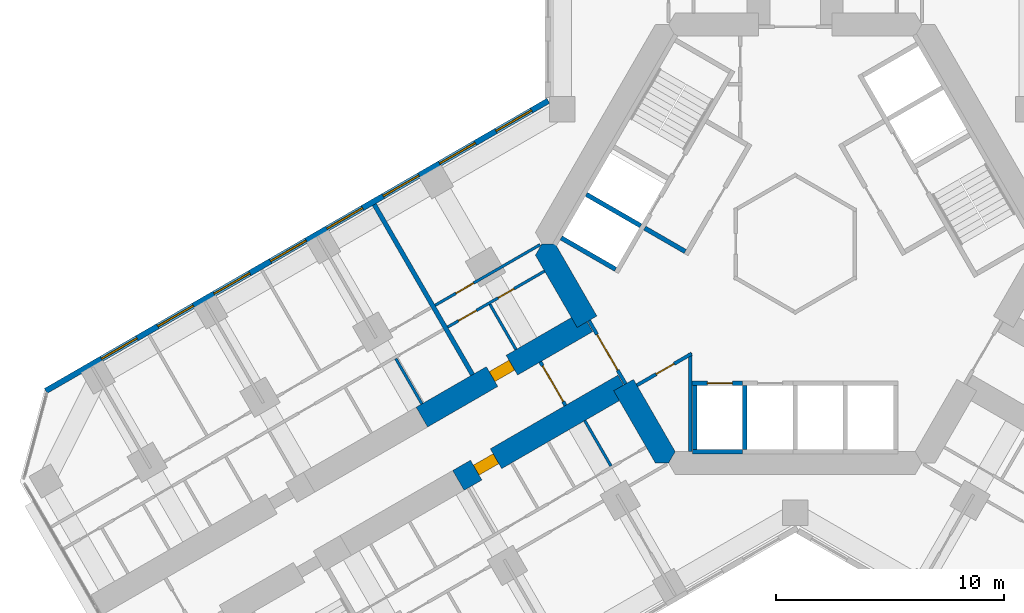
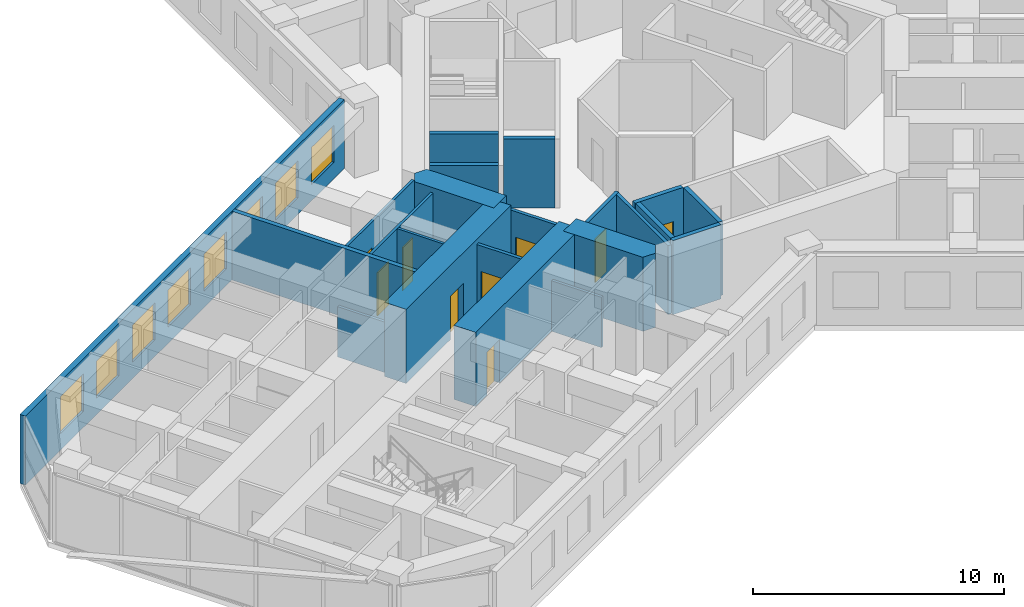
# One storey, part 12 of 21: 22 walls, 9 doors, 8 windows, 17 openings.
"""IFC4 building model written with IfcOpenShell, lengths in metres."""

from ifc_helpers import new_model, si_unit, direction, frame, frame_2d, origin, place, context, subcontext, project, spatial, polyline, rectangle, outline, extrude, material, layer, layer_set, type_object, element, fill, save


model = new_model("IFC4")

# Units and contexts
model_context = context("Model", 3, precision=1e-05, world=origin(), true_north=direction((0.0, 1.0)))
body_context = subcontext(model_context, "Body", "Model", "MODEL_VIEW")
ifc_project = project(units=[si_unit("LENGTHUNIT", "METRE"), si_unit("AREAUNIT", "SQUARE_METRE"), si_unit("VOLUMEUNIT", "CUBIC_METRE"), si_unit("PLANEANGLEUNIT", "RADIAN"), si_unit("MASSUNIT", "GRAM", prefix="KILO")], contexts=[model_context])

# Site, building, storey
site_placement = place(None, origin())
site = spatial("IfcSite", under=ifc_project, at=site_placement, CompositionType="ELEMENT")
building_placement = place(site_placement, origin())
building = spatial("IfcBuilding", under=site, at=building_placement, Name="Kosmar Iwan School Tower", CompositionType="ELEMENT")
storey_placement = place(building_placement, frame((0.0, 0.0, 39.39990234375)))
storey = spatial("IfcBuildingStorey", under=building, at=storey_placement, Name="L08", CompositionType="ELEMENT", Elevation=39.39990234375)

# Wall, opening, door
ifc_material_1 = material(Name="Gypsum board on steel studs, fire-rated", Category="steel")
ifc_layer_1 = layer(ifc_material_1, 0.14990234375)
ifc_layer_set_1 = layer_set([ifc_layer_1], Name="Core room partition 150")
wall_type_1 = type_object("IfcWallType", Name="Core room partition 150", PredefinedType="PARTITIONING", material=ifc_layer_set_1)
wall_1_placement = place(storey_placement, frame((-6.930908203125, -6.195556640625, 0.0), z_axis=(0.0, 0.0, 1.0), x_axis=(0.866007755774, 0.500030566006, 0.0)))
wall_1 = element("IfcWall", 1, at=wall_1_placement, inside=storey, type_object=wall_type_1, Name="Core room partition L08-CW10", PredefinedType="PARTITIONING", context=body_context, shape_type="SweptSolid", body=[
    extrude(rectangle(XDim=2.766357421875, YDim=0.14990234375, at=frame_2d((1.38330078125, 0.0))), origin(), (0.0, 0.0, 1.0), 3.35009765625),
])
opening_1_placement = place(wall_1_placement, frame((0.97607421875, 0.0, 0.0)))
opening_1 = element("IfcOpeningElement", 2, at=opening_1_placement, cuts=wall_1, Name="Opening D14", PredefinedType="OPENING", context=body_context, shape_type="SweptSolid", body=[
    extrude(rectangle(XDim=0.89990234375, YDim=2.10009765625, at=frame_2d((0.449951171875, 1.050048828125))), frame((0.0, 0.0869140625, 0.0), z_axis=(0.0, -1.0, 0.0), x_axis=(1.0, 0.0, 0.0)), (0.0, 0.0, 1.0), 0.173828125),
])
ifc_material_2 = material(Name="Timber fire door in steel frame", Category="steel")
door_type_1 = type_object("IfcDoorType", Name="Core room door 900x2100", OperationType="SINGLE_SWING_LEFT", PredefinedType="DOOR", material=ifc_material_2)
door_1_placement = place(opening_1_placement, origin())
door_1 = element("IfcDoor", 3, at=door_1_placement, inside=storey, type_object=door_type_1, Name="Water meter room door L08 4", OperationType="SINGLE_SWING_RIGHT", OverallHeight=2.10009765625, OverallWidth=0.89990234375, PredefinedType="DOOR", context=body_context, shape_type="SweptSolid", body=[
    extrude(rectangle(XDim=0.89990234375, YDim=2.10009765625, at=frame_2d((0.449951171875, 1.050048828125))), frame((0.0, 0.02490234375, 0.0), z_axis=(0.0, -1.0, 0.0), x_axis=(1.0, 0.0, 0.0)), (0.0, 0.0, 1.0), 0.050048828125),
])
fill(opening_1, door_1)

# Walls
wall_2_placement = place(storey_placement, frame((-4.60009765625, -4.774658203125, 0.0), z_axis=(0.0, 0.0, 1.0), x_axis=(0.0, -1.0, 0.0)))
element("IfcWall", 4, at=wall_2_placement, inside=storey, type_object=wall_type_1, Name="Core room partition L08-CW11", PredefinedType="PARTITIONING", context=body_context, shape_type="SweptSolid", body=[
    extrude(rectangle(XDim=4.3203125, YDim=0.14990234375, at=frame_2d((2.16015625, 0.0))), origin(), (0.0, 0.0, 1.0), 3.35009765625),
])
ifc_material_3 = material(Name="Concrete C50/60", Category="concrete")
ifc_layer_2 = layer(ifc_material_3, 1.0)
ifc_layer_set_2 = layer_set([ifc_layer_2], Name="Core wall 1000")
wall_type_2 = type_object("IfcWallType", Name="Core wall 1000", PredefinedType="SHEAR", material=ifc_layer_set_2)
wall_3_placement = place(storey_placement, origin())
element("IfcWall", 5, at=wall_3_placement, inside=storey, type_object=wall_type_2, Name="Core wall F210a", PredefinedType="SHEAR", context=body_context, shape_type="SweptSolid", body=[
    extrude(outline(polyline([(-9.546875, -3.664306640625), (-8.680908203125, -3.164306640625), (-10.5078125, 0.0), (-11.085205078125, 0.0), (-11.373779296875, -0.5), (-9.546875, -3.664306640625)])), origin(), (0.0, 0.0, 1.0), 3.60009765625),
])
wall_4_placement = place(storey_placement, origin())
element("IfcWall", 6, at=wall_4_placement, inside=storey, type_object=wall_type_2, Name="Core wall F210b", PredefinedType="SHEAR", context=body_context, shape_type="SweptSolid", body=[
    extrude(outline(polyline([(-6.119873046875, -9.60009765625), (-5.54248046875, -9.60009765625), (-5.25390625, -9.10009765625), (-7.080810546875, -5.935546875), (-7.94677734375, -6.435546875), (-6.119873046875, -9.60009765625)])), origin(), (0.0, 0.0, 1.0), 3.60009765625),
])

# Wall, opening, door
ifc_material_4 = material(Name="Concrete C50/60", Category="concrete")
ifc_layer_3 = layer(ifc_material_4, 1.0)
ifc_layer_set_3 = layer_set([ifc_layer_3], Name="Corridor buttress wall 1000")
wall_type_3 = type_object("IfcWallType", Name="Corridor buttress wall 1000", PredefinedType="SHEAR", material=ifc_layer_set_3)
wall_5_placement = place(storey_placement, frame((-7.513916015625, -6.185546875, 0.0), z_axis=(0.0, 0.0, 1.0), x_axis=(-0.866019549707, -0.500010139422, 0.0)))
wall_5 = element("IfcWall", 7, at=wall_5_placement, inside=storey, type_object=wall_type_3, Name="Corridor wall BL", PredefinedType="SHEAR", context=body_context, shape_type="SweptSolid", body=[
    extrude(rectangle(XDim=8.349853515625, YDim=1.0, at=frame_2d((4.1748046875, 0.0))), origin(), (0.0, 0.0, 1.0), 3.60009765625),
])
opening_2_placement = place(wall_5_placement, frame((6.449951171875, 0.0, 0.0)))
opening_2 = element("IfcOpeningElement", 8, at=opening_2_placement, cuts=wall_5, Name="Opening D1", PredefinedType="OPENING", context=body_context, shape_type="SweptSolid", body=[
    extrude(rectangle(XDim=1.0, YDim=2.10009765625, at=frame_2d((0.5, 1.050048828125))), frame((0.0, 0.511962890625, 0.0), z_axis=(0.0, -1.0, 0.0), x_axis=(1.0, 0.0, 0.0)), (0.0, 0.0, 1.0), 1.02392578125),
])
ifc_material_5 = material(Name="Timber fire door in steel frame", Category="steel")
door_type_2 = type_object("IfcDoorType", Name="Flat entrance door 1000x2100", OperationType="SINGLE_SWING_LEFT", PredefinedType="DOOR", material=ifc_material_5)
door_2_placement = place(opening_2_placement, origin())
door_2 = element("IfcDoor", 9, at=door_2_placement, inside=storey, type_object=door_type_2, Name="Flat L08-BL1 entrance door", OperationType="SINGLE_SWING_LEFT", OverallHeight=2.10009765625, OverallWidth=1.0, PredefinedType="DOOR", context=body_context, shape_type="SweptSolid", body=[
    extrude(rectangle(XDim=1.0, YDim=2.10009765625, at=frame_2d((0.5, 1.050048828125))), frame((0.0, 0.25, 0.0), z_axis=(0.0, -1.0, 0.0), x_axis=(1.0, 0.0, 0.0)), (0.0, 0.0, 1.0), 0.5),
])
fill(opening_2, door_2)

wall_6_placement = place(storey_placement, frame((-9.11376953125, -3.414306640625, 0.0), z_axis=(0.0, 0.0, 1.0), x_axis=(-0.866026859388, -0.499997478812, 0.0)))
wall_6 = element("IfcWall", 10, at=wall_6_placement, inside=storey, type_object=wall_type_3, Name="Corridor wall BR", PredefinedType="SHEAR", context=body_context, shape_type="SweptSolid", body=[
    extrude(rectangle(XDim=8.35009765625, YDim=1.0, at=frame_2d((4.175048828125, 0.0))), origin(), (0.0, 0.0, 1.0), 3.60009765625),
])
opening_3_placement = place(wall_6_placement, frame((3.800048828125, 0.0, 0.0)))
opening_3 = element("IfcOpeningElement", 11, at=opening_3_placement, cuts=wall_6, Name="Opening D1", PredefinedType="OPENING", context=body_context, shape_type="SweptSolid", body=[
    extrude(rectangle(XDim=1.0, YDim=2.10009765625, at=frame_2d((0.5, 1.050048828125))), frame((0.0, 0.511962890625, 0.0), z_axis=(0.0, -1.0, 0.0), x_axis=(1.0, 0.0, 0.0)), (0.0, 0.0, 1.0), 1.02392578125),
])
door_3_placement = place(opening_3_placement, origin())
door_3 = element("IfcDoor", 12, at=door_3_placement, inside=storey, type_object=door_type_2, Name="Flat L08-BR1 entrance door", OperationType="SINGLE_SWING_LEFT", OverallHeight=2.10009765625, OverallWidth=1.0, PredefinedType="DOOR", context=body_context, shape_type="SweptSolid", body=[
    extrude(rectangle(XDim=1.0, YDim=2.10009765625, at=frame_2d((0.5, 1.050048828125))), frame((0.0, 0.25, 0.0), z_axis=(0.0, -1.0, 0.0), x_axis=(1.0, 0.0, 0.0)), (0.0, 0.0, 1.0), 0.5),
])
fill(opening_3, door_3)

ifc_material_6 = material(Name="Gypsum board on steel studs, fire-rated", Category="steel")
ifc_layer_4 = layer(ifc_material_6, 0.14990234375)
ifc_layer_set_4 = layer_set([ifc_layer_4], Name="Corridor end wall 150")
wall_type_4 = type_object("IfcWallType", Name="Corridor end wall 150", PredefinedType="PARTITIONING", material=ifc_layer_set_4)
wall_7_placement = place(storey_placement, frame((-11.158935546875, -5.17236328125, 0.0), z_axis=(0.0, 0.0, 1.0), x_axis=(0.50002983664, -0.866008176907, 0.0)))
wall_7 = element("IfcWall", 13, at=wall_7_placement, inside=storey, type_object=wall_type_4, Name="Partition L08-B-HW", PredefinedType="PARTITIONING", context=body_context, shape_type="SweptSolid", body=[
    extrude(rectangle(XDim=2.199951171875, YDim=0.14990234375, at=frame_2d((1.10009765625, 0.0))), origin(), (0.0, 0.0, 1.0), 3.35009765625),
])
opening_4_placement = place(wall_7_placement, frame((0.199951171875, 0.0, 0.0)))
opening_4 = element("IfcOpeningElement", 14, at=opening_4_placement, cuts=wall_7, Name="Opening D9", PredefinedType="OPENING", context=body_context, shape_type="SweptSolid", body=[
    extrude(rectangle(XDim=1.800048828125, YDim=2.10009765625, at=frame_2d((0.89990234375, 1.050048828125))), frame((0.0, 0.0869140625, 0.0), z_axis=(0.0, -1.0, 0.0), x_axis=(1.0, 0.0, 0.0)), (0.0, 0.0, 1.0), 0.173828125),
])
ifc_material_7 = material(Name="Steel framed glazed smoke door", Category="steel")
door_type_3 = type_object("IfcDoorType", Name="Corridor smoke door pair 1800x2100", OperationType="DOUBLE_DOOR_DOUBLE_SWING", PredefinedType="DOOR", material=ifc_material_7)
door_4_placement = place(opening_4_placement, origin())
door_4 = element("IfcDoor", 15, at=door_4_placement, inside=storey, type_object=door_type_3, Name="Entrance vestibule smoke doors L08-B", OperationType="DOUBLE_DOOR_DOUBLE_SWING", OverallHeight=2.10009765625, OverallWidth=1.800048828125, PredefinedType="DOOR", context=body_context, shape_type="SweptSolid", body=[
    extrude(rectangle(XDim=1.800048828125, YDim=2.10009765625, at=frame_2d((0.89990234375, 1.050048828125))), frame((0.0, 0.02490234375, 0.0), z_axis=(0.0, -1.0, 0.0), x_axis=(1.0, 0.0, 0.0)), (0.0, 0.0, 1.0), 0.050048828125),
])
fill(opening_4, door_4)

ifc_material_8 = material(Name="Steel framed glazed screen", Category="steel")
ifc_layer_5 = layer(ifc_material_8, 0.14990234375)
ifc_layer_set_5 = layer_set([ifc_layer_5], Name="Corridor screen wall 150")
wall_type_5 = type_object("IfcWallType", Name="Corridor screen wall 150", PredefinedType="PARTITIONING", material=ifc_layer_set_5)
wall_8_placement = place(storey_placement, frame((-9.02734375, -3.3642578125, 0.0), z_axis=(0.0, 0.0, 1.0), x_axis=(0.499995408039, -0.866028054938, 0.0)))
wall_8 = element("IfcWall", 16, at=wall_8_placement, inside=storey, type_object=wall_type_5, Name="Corridor screen B L08", PredefinedType="PARTITIONING", context=body_context, shape_type="SweptSolid", body=[
    extrude(rectangle(XDim=3.2001953125, YDim=0.14990234375, at=frame_2d((1.60009765625, 0.0))), origin(), (0.0, 0.0, 1.0), 3.35009765625),
])
opening_5_placement = place(wall_8_placement, frame((0.699951171875, 0.0, 0.0)))
opening_5 = element("IfcOpeningElement", 17, at=opening_5_placement, cuts=wall_8, Name="Opening D9", PredefinedType="OPENING", context=body_context, shape_type="SweptSolid", body=[
    extrude(rectangle(XDim=1.800048828125, YDim=2.10009765625, at=frame_2d((0.89990234375, 1.050048828125))), frame((0.0, 0.0869140625, 0.0), z_axis=(0.0, -1.0, 0.0), x_axis=(1.0, 0.0, 0.0)), (0.0, 0.0, 1.0), 0.173828125),
])
door_5_placement = place(opening_5_placement, origin())
door_5 = element("IfcDoor", 18, at=door_5_placement, inside=storey, type_object=door_type_3, Name="Corridor doors B L08", OperationType="DOUBLE_DOOR_DOUBLE_SWING", OverallHeight=2.10009765625, OverallWidth=1.800048828125, PredefinedType="DOOR", context=body_context, shape_type="SweptSolid", body=[
    extrude(rectangle(XDim=1.800048828125, YDim=2.10009765625, at=frame_2d((0.89990234375, 1.050048828125))), frame((0.0, 0.02490234375, 0.0), z_axis=(0.0, -1.0, 0.0), x_axis=(1.0, 0.0, 0.0)), (0.0, 0.0, 1.0), 0.050048828125),
])
fill(opening_5, door_5)

# Wall
ifc_material_9 = material(Name="Gypsum board on steel studs", Category="steel")
ifc_layer_6 = layer(ifc_material_9, 0.1201171875)
ifc_layer_set_6 = layer_set([ifc_layer_6], Name="Dwelling partition 120")
wall_type_6 = type_object("IfcWallType", Name="Dwelling partition 120", PredefinedType="PARTITIONING", material=ifc_layer_set_6)
wall_9_placement = place(storey_placement, frame((-9.21240234375, -7.74365234375, 0.0), z_axis=(0.0, 0.0, 1.0), x_axis=(0.500014693593, -0.866016920268, 0.0)))
element("IfcWall", 19, at=wall_9_placement, inside=storey, type_object=wall_type_6, Name="Partition L08-BL1-Y1", PredefinedType="PARTITIONING", context=body_context, shape_type="SweptSolid", body=[
    extrude(rectangle(XDim=2.2900390625, YDim=0.1201171875, at=frame_2d((1.14501953125, 0.0))), origin(), (0.0, 0.0, 1.0), 2.4501953125),
])

# Wall, openings, doors
wall_10_placement = place(storey_placement, frame((-10.971923828125, -1.1962890625, 0.0), z_axis=(0.0, 0.0, 1.0), x_axis=(-0.866023786258, -0.500002801628, 0.0)))
wall_10 = element("IfcWall", 20, at=wall_10_placement, inside=storey, type_object=wall_type_6, Name="Partition L08-BR1-W1", PredefinedType="PARTITIONING", context=body_context, shape_type="SweptSolid", body=[
    extrude(rectangle(XDim=4.89990234375, YDim=0.1201171875, at=frame_2d((2.449951171875, 0.0))), origin(), (0.0, 0.0, 1.0), 3.35009765625),
])
opening_6_placement = place(wall_10_placement, frame((1.550048828125, 0.0, 0.0)))
opening_6 = element("IfcOpeningElement", 21, at=opening_6_placement, cuts=wall_10, Name="Opening D3", PredefinedType="OPENING", context=body_context, shape_type="SweptSolid", body=[
    extrude(rectangle(XDim=0.800048828125, YDim=2.10009765625, at=frame_2d((0.39990234375, 1.050048828125))), frame((0.0, 0.072021484375, 0.0), z_axis=(0.0, -1.0, 0.0), x_axis=(1.0, 0.0, 0.0)), (0.0, 0.0, 1.0), 0.14404296875),
])
opening_7_placement = place(wall_10_placement, frame((3.449951171875, 0.0, 0.0)))
opening_7 = element("IfcOpeningElement", 22, at=opening_7_placement, cuts=wall_10, Name="Opening D2", PredefinedType="OPENING", context=body_context, shape_type="SweptSolid", body=[
    extrude(rectangle(XDim=0.89990234375, YDim=2.10009765625, at=frame_2d((0.449951171875, 1.050048828125))), frame((0.0, 0.072021484375, 0.0), z_axis=(0.0, -1.0, 0.0), x_axis=(1.0, 0.0, 0.0)), (0.0, 0.0, 1.0), 0.14404296875),
])
ifc_material_10 = material(Name="Timber door in timber frame", Category="wood")
door_type_4 = type_object("IfcDoorType", Name="Internal door 900x2100", OperationType="SINGLE_SWING_LEFT", PredefinedType="DOOR", material=ifc_material_10)
door_6_placement = place(opening_7_placement, origin())
door_6 = element("IfcDoor", 23, at=door_6_placement, inside=storey, type_object=door_type_4, Name="Entrance hall door L08-BR1-S2", OperationType="SINGLE_SWING_RIGHT", OverallHeight=2.10009765625, OverallWidth=0.89990234375, PredefinedType="DOOR", context=body_context, shape_type="SweptSolid", body=[
    extrude(rectangle(XDim=0.89990234375, YDim=2.10009765625, at=frame_2d((0.449951171875, 1.050048828125))), frame((0.0, 0.02490234375, 0.0), z_axis=(0.0, -1.0, 0.0), x_axis=(1.0, 0.0, 0.0)), (0.0, 0.0, 1.0), 0.050048828125),
])
fill(opening_7, door_6)
ifc_material_11 = material(Name="Timber door in timber frame", Category="wood")
door_type_5 = type_object("IfcDoorType", Name="Sanitary room door 800x2100", OperationType="SINGLE_SWING_LEFT", PredefinedType="DOOR", material=ifc_material_11)
door_7_placement = place(opening_6_placement, origin())
door_7 = element("IfcDoor", 24, at=door_7_placement, inside=storey, type_object=door_type_5, Name="Bathroom door L08-BR1-S1", OperationType="SINGLE_SWING_RIGHT", OverallHeight=2.10009765625, OverallWidth=0.800048828125, PredefinedType="DOOR", context=body_context, shape_type="SweptSolid", body=[
    extrude(rectangle(XDim=0.800048828125, YDim=2.10009765625, at=frame_2d((0.39990234375, 1.050048828125))), frame((0.0, 0.02490234375, 0.0), z_axis=(0.0, -1.0, 0.0), x_axis=(1.0, 0.0, 0.0)), (0.0, 0.0, 1.0), 0.050048828125),
])
fill(opening_6, door_7)

# Wall, opening, door
wall_11_placement = place(storey_placement, frame((-11.167724609375, -0.0390625, 0.0), z_axis=(0.0, 0.0, 1.0), x_axis=(-0.866018638731, -0.500011717233, 0.0)))
wall_11 = element("IfcWall", 25, at=wall_11_placement, inside=storey, type_object=wall_type_6, Name="Partition L08-BR1-W2", PredefinedType="PARTITIONING", context=body_context, shape_type="SweptSolid", body=[
    extrude(rectangle(XDim=5.308837890625, YDim=0.1201171875, at=frame_2d((2.654296875, 0.0))), origin(), (0.0, 0.0, 1.0), 3.35009765625),
])
opening_8_placement = place(wall_11_placement, frame((3.35888671875, 0.0, 0.0)))
opening_8 = element("IfcOpeningElement", 26, at=opening_8_placement, cuts=wall_11, Name="Opening D2", PredefinedType="OPENING", context=body_context, shape_type="SweptSolid", body=[
    extrude(rectangle(XDim=0.89990234375, YDim=2.10009765625, at=frame_2d((0.449951171875, 1.050048828125))), frame((0.0, 0.072021484375, 0.0), z_axis=(0.0, -1.0, 0.0), x_axis=(1.0, 0.0, 0.0)), (0.0, 0.0, 1.0), 0.14404296875),
])
door_8_placement = place(opening_8_placement, origin())
door_8 = element("IfcDoor", 27, at=door_8_placement, inside=storey, type_object=door_type_4, Name="Studio living room and kitchen door L08-BR1-F1", OperationType="SINGLE_SWING_RIGHT", OverallHeight=2.10009765625, OverallWidth=0.89990234375, PredefinedType="DOOR", context=body_context, shape_type="SweptSolid", body=[
    extrude(rectangle(XDim=0.89990234375, YDim=2.10009765625, at=frame_2d((0.449951171875, 1.050048828125))), frame((0.0, 0.02490234375, 0.0), z_axis=(0.0, -1.0, 0.0), x_axis=(1.0, 0.0, 0.0)), (0.0, 0.0, 1.0), 0.050048828125),
])
fill(opening_8, door_8)

# Walls
wall_12_placement = place(storey_placement, frame((-12.2216796875, -4.63134765625, 0.0), z_axis=(0.0, 0.0, 1.0), x_axis=(-0.500014693593, 0.866016920268, 0.0)))
element("IfcWall", 28, at=wall_12_placement, inside=storey, type_object=wall_type_6, Name="Partition L08-BR1-Y1", PredefinedType="PARTITIONING", context=body_context, shape_type="SweptSolid", body=[
    extrude(rectangle(XDim=2.2900390625, YDim=0.1201171875, at=frame_2d((1.14501953125, 0.0))), origin(), (0.0, 0.0, 1.0), 3.35009765625),
])
wall_13_placement = place(storey_placement, frame((-16.341552734375, -7.010009765625, 0.0), z_axis=(0.0, 0.0, 1.0), x_axis=(-0.499968531483, 0.866043571379, 0.0)))
element("IfcWall", 29, at=wall_13_placement, inside=storey, type_object=wall_type_6, Name="Partition L08-BR2-Y1", PredefinedType="PARTITIONING", context=body_context, shape_type="SweptSolid", body=[
    extrude(rectangle(XDim=2.290283203125, YDim=0.1201171875, at=frame_2d((1.14501953125, 0.0))), origin(), (0.0, 0.0, 1.0), 2.4501953125),
])

# Wall, openings, windows
ifc_material_12 = material(Name="Black aluminium rainscreen on insulated framing", Category="aluminium")
ifc_layer_7 = layer(ifc_material_12, 0.25)
ifc_layer_set_7 = layer_set([ifc_layer_7], Name="External wall rainscreen 250")
wall_type_7 = type_object("IfcWallType", Name="External wall rainscreen 250", PredefinedType="SOLIDWALL", material=ifc_layer_set_7)
wall_14_placement = place(storey_placement, frame((-10.8125, 6.257080078125, 0.0), z_axis=(0.0, 0.0, 1.0), x_axis=(-0.86602648281, -0.499998131069, 0.0)))
wall_14 = element("IfcWall", 30, at=wall_14_placement, inside=storey, type_object=wall_type_7, Name="External wall BR L08", PredefinedType="SOLIDWALL", context=body_context, shape_type="SweptSolid", body=[
    extrude(rectangle(XDim=25.39990234375, YDim=0.25, at=frame_2d((12.699951171875, 0.0))), origin(), (0.0, 0.0, 1.0), 3.35009765625),
])
opening_9_placement = place(wall_14_placement, frame((0.839599609375, 0.0, 0.800048828125)))
opening_9 = element("IfcOpeningElement", 31, at=opening_9_placement, cuts=wall_14, Name="Opening W1", PredefinedType="OPENING", context=body_context, shape_type="SweptSolid", body=[
    extrude(rectangle(XDim=1.800048828125, YDim=1.800048828125, at=frame_2d((0.89990234375, 0.89990234375))), frame((0.0, 0.136962890625, 0.0), z_axis=(0.0, -1.0, 0.0), x_axis=(1.0, 0.0, 0.0)), (0.0, 0.0, 1.0), 0.27392578125),
])
opening_10_placement = place(wall_14_placement, frame((3.689697265625, 0.0, 0.800048828125)))
opening_10 = element("IfcOpeningElement", 32, at=opening_10_placement, cuts=wall_14, Name="Opening W1", PredefinedType="OPENING", context=body_context, shape_type="SweptSolid", body=[
    extrude(rectangle(XDim=1.800048828125, YDim=1.800048828125, at=frame_2d((0.89990234375, 0.89990234375))), frame((0.0, 0.136962890625, 0.0), z_axis=(0.0, -1.0, 0.0), x_axis=(1.0, 0.0, 0.0)), (0.0, 0.0, 1.0), 0.27392578125),
])
opening_11_placement = place(wall_14_placement, frame((6.53955078125, 0.0, 0.800048828125)))
opening_11 = element("IfcOpeningElement", 33, at=opening_11_placement, cuts=wall_14, Name="Opening W1", PredefinedType="OPENING", context=body_context, shape_type="SweptSolid", body=[
    extrude(rectangle(XDim=1.800048828125, YDim=1.800048828125, at=frame_2d((0.89990234375, 0.89990234375))), frame((0.0, 0.136962890625, 0.0), z_axis=(0.0, -1.0, 0.0), x_axis=(1.0, 0.0, 0.0)), (0.0, 0.0, 1.0), 0.27392578125),
])
opening_12_placement = place(wall_14_placement, frame((9.3896484375, 0.0, 0.800048828125)))
opening_12 = element("IfcOpeningElement", 34, at=opening_12_placement, cuts=wall_14, Name="Opening W1", PredefinedType="OPENING", context=body_context, shape_type="SweptSolid", body=[
    extrude(rectangle(XDim=1.800048828125, YDim=1.800048828125, at=frame_2d((0.89990234375, 0.89990234375))), frame((0.0, 0.136962890625, 0.0), z_axis=(0.0, -1.0, 0.0), x_axis=(1.0, 0.0, 0.0)), (0.0, 0.0, 1.0), 0.27392578125),
])
opening_13_placement = place(wall_14_placement, frame((12.23974609375, 0.0, 0.800048828125)))
opening_13 = element("IfcOpeningElement", 35, at=opening_13_placement, cuts=wall_14, Name="Opening W1", PredefinedType="OPENING", context=body_context, shape_type="SweptSolid", body=[
    extrude(rectangle(XDim=1.800048828125, YDim=1.800048828125, at=frame_2d((0.89990234375, 0.89990234375))), frame((0.0, 0.136962890625, 0.0), z_axis=(0.0, -1.0, 0.0), x_axis=(1.0, 0.0, 0.0)), (0.0, 0.0, 1.0), 0.27392578125),
])
opening_14_placement = place(wall_14_placement, frame((15.089599609375, 0.0, 0.800048828125)))
opening_14 = element("IfcOpeningElement", 36, at=opening_14_placement, cuts=wall_14, Name="Opening W1", PredefinedType="OPENING", context=body_context, shape_type="SweptSolid", body=[
    extrude(rectangle(XDim=1.800048828125, YDim=1.800048828125, at=frame_2d((0.89990234375, 0.89990234375))), frame((0.0, 0.136962890625, 0.0), z_axis=(0.0, -1.0, 0.0), x_axis=(1.0, 0.0, 0.0)), (0.0, 0.0, 1.0), 0.27392578125),
])
opening_15_placement = place(wall_14_placement, frame((17.939697265625, 0.0, 0.800048828125)))
opening_15 = element("IfcOpeningElement", 37, at=opening_15_placement, cuts=wall_14, Name="Opening W1", PredefinedType="OPENING", context=body_context, shape_type="SweptSolid", body=[
    extrude(rectangle(XDim=1.800048828125, YDim=1.800048828125, at=frame_2d((0.89990234375, 0.89990234375))), frame((0.0, 0.136962890625, 0.0), z_axis=(0.0, -1.0, 0.0), x_axis=(1.0, 0.0, 0.0)), (0.0, 0.0, 1.0), 0.27392578125),
])
opening_16_placement = place(wall_14_placement, frame((20.78955078125, 0.0, 0.800048828125)))
opening_16 = element("IfcOpeningElement", 38, at=opening_16_placement, cuts=wall_14, Name="Opening W1", PredefinedType="OPENING", context=body_context, shape_type="SweptSolid", body=[
    extrude(rectangle(XDim=1.800048828125, YDim=1.800048828125, at=frame_2d((0.89990234375, 0.89990234375))), frame((0.0, 0.136962890625, 0.0), z_axis=(0.0, -1.0, 0.0), x_axis=(1.0, 0.0, 0.0)), (0.0, 0.0, 1.0), 0.27392578125),
])
ifc_material_13 = material(Name="Black aluminium frame with dark triple glazing", Category="aluminium")
window_type = type_object("IfcWindowType", Name="Window 1800x1800", PartitioningType="SINGLE_PANEL", PredefinedType="WINDOW", material=ifc_material_13)
window_1_placement = place(opening_9_placement, origin())
window_1 = element("IfcWindow", 39, at=window_1_placement, inside=storey, type_object=window_type, Name="Window BR L08 -1", OverallHeight=1.800048828125, OverallWidth=1.800048828125, PartitioningType="SINGLE_PANEL", PredefinedType="WINDOW", context=body_context, shape_type="SweptSolid", body=[
    extrude(rectangle(XDim=1.800048828125, YDim=1.800048828125, at=frame_2d((0.89990234375, 0.89990234375))), frame((0.0, 0.030029296875, 0.0), z_axis=(0.0, -1.0, 0.0), x_axis=(1.0, 0.0, 0.0)), (0.0, 0.0, 1.0), 0.06005859375),
])
fill(opening_9, window_1)
window_2_placement = place(opening_10_placement, origin())
window_2 = element("IfcWindow", 40, at=window_2_placement, inside=storey, type_object=window_type, Name="Window BR L08 0", OverallHeight=1.800048828125, OverallWidth=1.800048828125, PartitioningType="SINGLE_PANEL", PredefinedType="WINDOW", context=body_context, shape_type="SweptSolid", body=[
    extrude(rectangle(XDim=1.800048828125, YDim=1.800048828125, at=frame_2d((0.89990234375, 0.89990234375))), frame((0.0, 0.030029296875, 0.0), z_axis=(0.0, -1.0, 0.0), x_axis=(1.0, 0.0, 0.0)), (0.0, 0.0, 1.0), 0.06005859375),
])
fill(opening_10, window_2)
window_3_placement = place(opening_11_placement, origin())
window_3 = element("IfcWindow", 41, at=window_3_placement, inside=storey, type_object=window_type, Name="Window BR L08 1", OverallHeight=1.800048828125, OverallWidth=1.800048828125, PartitioningType="SINGLE_PANEL", PredefinedType="WINDOW", context=body_context, shape_type="SweptSolid", body=[
    extrude(rectangle(XDim=1.800048828125, YDim=1.800048828125, at=frame_2d((0.89990234375, 0.89990234375))), frame((0.0, 0.030029296875, 0.0), z_axis=(0.0, -1.0, 0.0), x_axis=(1.0, 0.0, 0.0)), (0.0, 0.0, 1.0), 0.06005859375),
])
fill(opening_11, window_3)
window_4_placement = place(opening_12_placement, origin())
window_4 = element("IfcWindow", 42, at=window_4_placement, inside=storey, type_object=window_type, Name="Window BR L08 2", OverallHeight=1.800048828125, OverallWidth=1.800048828125, PartitioningType="SINGLE_PANEL", PredefinedType="WINDOW", context=body_context, shape_type="SweptSolid", body=[
    extrude(rectangle(XDim=1.800048828125, YDim=1.800048828125, at=frame_2d((0.89990234375, 0.89990234375))), frame((0.0, 0.030029296875, 0.0), z_axis=(0.0, -1.0, 0.0), x_axis=(1.0, 0.0, 0.0)), (0.0, 0.0, 1.0), 0.06005859375),
])
fill(opening_12, window_4)
window_5_placement = place(opening_13_placement, origin())
window_5 = element("IfcWindow", 43, at=window_5_placement, inside=storey, type_object=window_type, Name="Window BR L08 3", OverallHeight=1.800048828125, OverallWidth=1.800048828125, PartitioningType="SINGLE_PANEL", PredefinedType="WINDOW", context=body_context, shape_type="SweptSolid", body=[
    extrude(rectangle(XDim=1.800048828125, YDim=1.800048828125, at=frame_2d((0.89990234375, 0.89990234375))), frame((0.0, 0.030029296875, 0.0), z_axis=(0.0, -1.0, 0.0), x_axis=(1.0, 0.0, 0.0)), (0.0, 0.0, 1.0), 0.06005859375),
])
fill(opening_13, window_5)
window_6_placement = place(opening_14_placement, origin())
window_6 = element("IfcWindow", 44, at=window_6_placement, inside=storey, type_object=window_type, Name="Window BR L08 4", OverallHeight=1.800048828125, OverallWidth=1.800048828125, PartitioningType="SINGLE_PANEL", PredefinedType="WINDOW", context=body_context, shape_type="SweptSolid", body=[
    extrude(rectangle(XDim=1.800048828125, YDim=1.800048828125, at=frame_2d((0.89990234375, 0.89990234375))), frame((0.0, 0.030029296875, 0.0), z_axis=(0.0, -1.0, 0.0), x_axis=(1.0, 0.0, 0.0)), (0.0, 0.0, 1.0), 0.06005859375),
])
fill(opening_14, window_6)
window_7_placement = place(opening_15_placement, origin())
window_7 = element("IfcWindow", 45, at=window_7_placement, inside=storey, type_object=window_type, Name="Window BR L08 5", OverallHeight=1.800048828125, OverallWidth=1.800048828125, PartitioningType="SINGLE_PANEL", PredefinedType="WINDOW", context=body_context, shape_type="SweptSolid", body=[
    extrude(rectangle(XDim=1.800048828125, YDim=1.800048828125, at=frame_2d((0.89990234375, 0.89990234375))), frame((0.0, 0.030029296875, 0.0), z_axis=(0.0, -1.0, 0.0), x_axis=(1.0, 0.0, 0.0)), (0.0, 0.0, 1.0), 0.06005859375),
])
fill(opening_15, window_7)
window_8_placement = place(opening_16_placement, origin())
window_8 = element("IfcWindow", 46, at=window_8_placement, inside=storey, type_object=window_type, Name="Window BR L08 6", OverallHeight=1.800048828125, OverallWidth=1.800048828125, PartitioningType="SINGLE_PANEL", PredefinedType="WINDOW", context=body_context, shape_type="SweptSolid", body=[
    extrude(rectangle(XDim=1.800048828125, YDim=1.800048828125, at=frame_2d((0.89990234375, 0.89990234375))), frame((0.0, 0.030029296875, 0.0), z_axis=(0.0, -1.0, 0.0), x_axis=(1.0, 0.0, 0.0)), (0.0, 0.0, 1.0), 0.06005859375),
])
fill(opening_16, window_8)

# Walls
ifc_material_14 = material(Name="Concrete block masonry", Category="masonry")
ifc_layer_8 = layer(ifc_material_14, 0.199951171875)
ifc_layer_set_8 = layer_set([ifc_layer_8], Name="Fire lobby wall 200")
wall_type_8 = type_object("IfcWallType", Name="Fire lobby wall 200", PredefinedType="PARTITIONING", material=ifc_layer_set_8)
wall_15_placement = place(storey_placement, frame((-4.814208984375, -0.33837890625, 0.0), z_axis=(0.0, 0.0, 1.0), x_axis=(-0.865969381856, 0.500097020274, 0.0)))
element("IfcWall", 47, at=wall_15_placement, inside=storey, type_object=wall_type_8, Name="Firefighting lobby wall ST2", PredefinedType="PARTITIONING", context=body_context, shape_type="SweptSolid", body=[
    extrude(rectangle(XDim=2.0498046875, YDim=0.199951171875, at=frame_2d((1.02490234375, 0.0))), origin(), (0.0, 0.0, 1.0), 3.35009765625),
])
ifc_material_15 = material(Name="Concrete C50/60", Category="concrete")
ifc_layer_9 = layer(ifc_material_15, 0.199951171875)
ifc_layer_set_9 = layer_set([ifc_layer_9], Name="Lift shaft wall 200")
wall_type_9 = type_object("IfcWallType", Name="Lift shaft wall 200", PredefinedType="SHEAR", material=ifc_layer_set_9)
for number, where, z_axis, x_axis, name in (
    (48, (-6.7626953125, 0.78662109375, 0.0), (0.0, 0.0, 1.0), (-0.866027397988, 0.499996545922, 0.0), "Lift shaft wall AB 1"),
    (49, (-7.862548828125, -1.118408203125, 0.0), (0.0, 0.0, 1.0), (-0.866027397988, 0.499996545922, 0.0), "Lift shaft wall AB 2"),
):
    element("IfcWall", number, at=place(storey_placement, frame(where, z_axis=z_axis, x_axis=x_axis)), inside=storey, type_object=wall_type_9, Name=name, PredefinedType="SHEAR", context=body_context, shape_type="SweptSolid", body=[
        extrude(rectangle(XDim=2.75, YDim=0.199951171875, at=frame_2d((1.375, 0.0))), origin(), (0.0, 0.0, 1.0), 3.60009765625),
    ])

# Wall, opening, door
wall_16_placement = place(storey_placement, frame((-4.52490234375, -6.10009765625, 0.0), z_axis=(0.0, 0.0, 1.0), x_axis=(1.0, 0.0, 0.0)))
wall_16 = element("IfcWall", 50, at=wall_16_placement, inside=storey, type_object=wall_type_9, Name="Lift and stair front wall BC", PredefinedType="SHEAR", context=body_context, shape_type="SweptSolid", body=[
    extrude(rectangle(XDim=2.224853515625, YDim=0.199951171875, at=frame_2d((1.1123046875, 0.0))), origin(), (0.0, 0.0, 1.0), 3.60009765625),
])
opening_17_placement = place(wall_16_placement, frame((0.675048828125, 0.0, 0.0)))
opening_17 = element("IfcOpeningElement", 51, at=opening_17_placement, cuts=wall_16, Name="Opening LD1", PredefinedType="OPENING", context=body_context, shape_type="SweptSolid", body=[
    extrude(rectangle(XDim=1.10009765625, YDim=2.10009765625, at=frame_2d((0.550048828125, 1.050048828125))), frame((0.0, 0.112060546875, 0.0), z_axis=(0.0, -1.0, 0.0), x_axis=(1.0, 0.0, 0.0)), (0.0, 0.0, 1.0), 0.223876953125),
])
ifc_material_16 = material(Name="Stainless steel sliding lift door", Category="steel")
door_type_6 = type_object("IfcDoorType", Name="Lift landing door 1100x2100", OperationType="SLIDING_TO_LEFT", PredefinedType="DOOR", material=ifc_material_16)
door_9_placement = place(opening_17_placement, origin())
door_9 = element("IfcDoor", 52, at=door_9_placement, inside=storey, type_object=door_type_6, Name="Lift PL1 landing door L08", OperationType="SLIDING_TO_LEFT", OverallHeight=2.10009765625, OverallWidth=1.10009765625, PredefinedType="DOOR", context=body_context, shape_type="SweptSolid", body=[
    extrude(rectangle(XDim=1.10009765625, YDim=2.10009765625, at=frame_2d((0.550048828125, 1.050048828125))), frame((0.0, 0.02490234375, 0.0), z_axis=(0.0, -1.0, 0.0), x_axis=(1.0, 0.0, 0.0)), (0.0, 0.0, 1.0), 0.050048828125),
])
fill(opening_17, door_9)

# Walls
wall_17_placement = place(storey_placement, frame((-4.5, -9.10009765625, 0.0), z_axis=(0.0, 0.0, 1.0), x_axis=(1.0, 0.0, 0.0)))
element("IfcWall", 53, at=wall_17_placement, inside=storey, type_object=wall_type_9, Name="Lift and stair back wall BC", PredefinedType="SHEAR", context=body_context, shape_type="SweptSolid", body=[
    extrude(rectangle(XDim=2.199951171875, YDim=0.199951171875, at=frame_2d((1.10009765625, 0.0))), origin(), (0.0, 0.0, 1.0), 3.60009765625),
])
for number, where, z_axis, x_axis, name in (
    (54, (-4.39990234375, -6.199951171875, 0.0), (0.0, 0.0, 1.0), (0.0, -1.0, 0.0), "Lift shaft wall BC 0"),
    (55, (-2.199951171875, -6.199951171875, 0.0), (0.0, 0.0, 1.0), (0.0, -1.0, 0.0), "Lift shaft wall BC 1"),
):
    element("IfcWall", number, at=place(storey_placement, frame(where, z_axis=z_axis, x_axis=x_axis)), inside=storey, type_object=wall_type_9, Name=name, PredefinedType="SHEAR", context=body_context, shape_type="SweptSolid", body=[
        extrude(rectangle(XDim=2.800048828125, YDim=0.199951171875, at=frame_2d((1.39990234375, 0.0))), origin(), (0.0, 0.0, 1.0), 3.60009765625),
    ])
ifc_material_17 = material(Name="Concrete block masonry", Category="masonry")
ifc_layer_10 = layer(ifc_material_17, 0.199951171875)
ifc_layer_set_10 = layer_set([ifc_layer_10], Name="Party wall 200")
wall_type_10 = type_object("IfcWallType", Name="Party wall 200", PredefinedType="PARTITIONING", material=ifc_layer_set_10)
wall_18_placement = place(storey_placement, frame((-14.126953125, -5.7314453125, 0.0), z_axis=(0.0, 0.0, 1.0), x_axis=(-0.499995216735, 0.866028165386, 0.0)))
element("IfcWall", 56, at=wall_18_placement, inside=storey, type_object=wall_type_10, Name="Partition L08-BR2-PW", PredefinedType="PARTITIONING", context=body_context, shape_type="SweptSolid", body=[
    extrude(rectangle(XDim=8.60009765625, YDim=0.199951171875, at=frame_2d((4.300048828125, 0.0))), origin(), (0.0, 0.0, 1.0), 3.35009765625),
])

save(model, "model.ifc")
